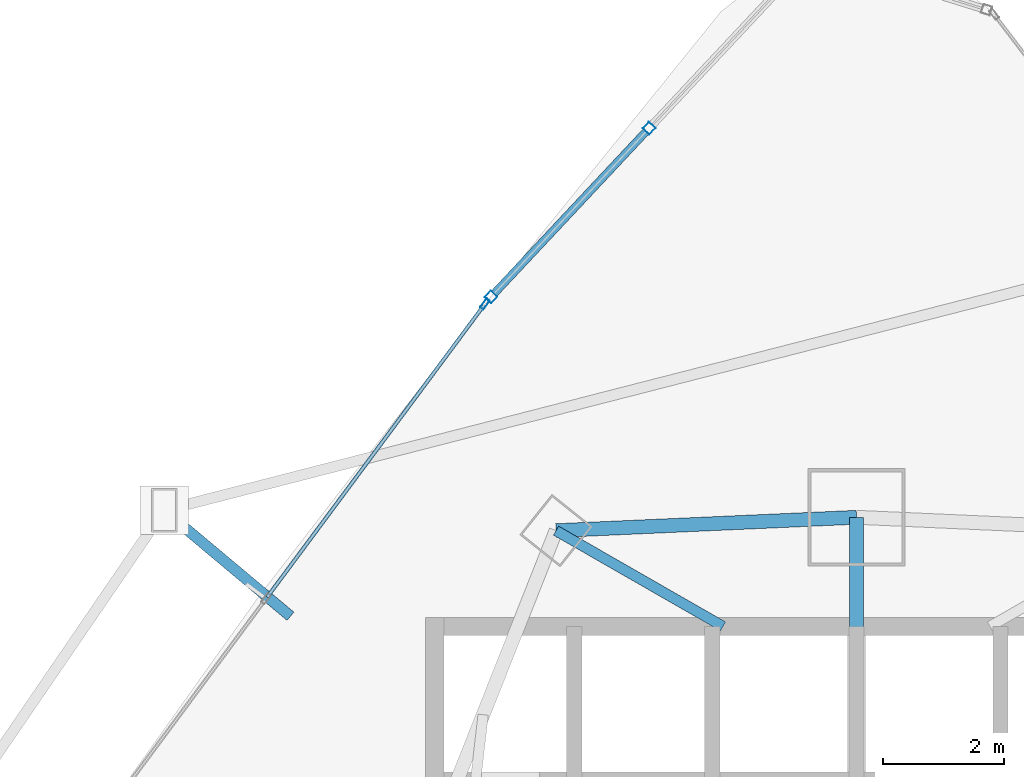
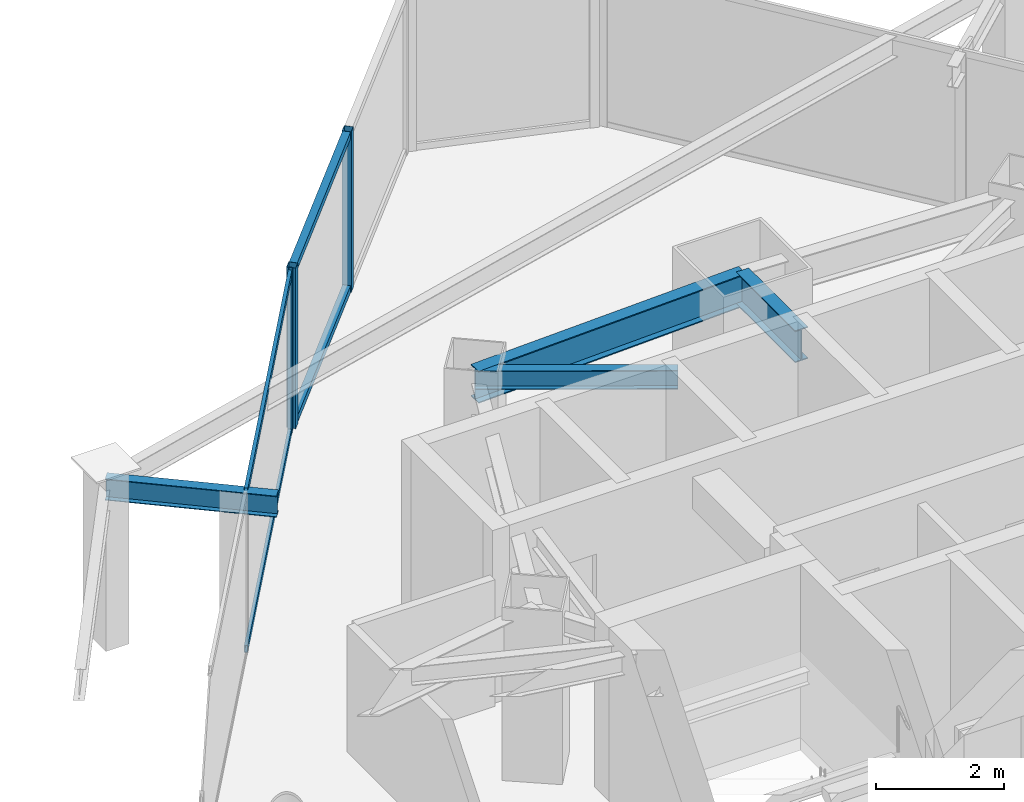
# One storey, part 22 of 33: 7 members, 4 beams, 2 elements without a shape of their own.
"""IFC4 building model written with IfcOpenShell, lengths in metres."""

from ifc_helpers import new_model, si_unit, direction, frame, origin, origin_2d, place, context, subcontext, project, spatial, hollow_rectangle, i_section, extrude, material, layer, layer_set, material_profile, profile_set, type_object, element, aggregate, save


model = new_model("IFC4")

# Units and contexts
model_context = context("Model", 3, precision=1e-05, world=origin(), true_north=direction((0.0, 1.0)))
body_context = subcontext(model_context, "Body", "Model", "MODEL_VIEW")
ifc_project = project(units=[si_unit("LENGTHUNIT", "METRE"), si_unit("AREAUNIT", "SQUARE_METRE"), si_unit("VOLUMEUNIT", "CUBIC_METRE"), si_unit("PLANEANGLEUNIT", "RADIAN"), si_unit("MASSUNIT", "GRAM", prefix="KILO")], contexts=[model_context])

# Site, building, storey
site_placement = place(None, origin())
site = spatial("IfcSite", under=ifc_project, at=site_placement, CompositionType="ELEMENT")
building_placement = place(site_placement, origin())
building = spatial("IfcBuilding", under=site, at=building_placement, Name="Orvanel Arch Residences", CompositionType="ELEMENT")
storey_placement = place(building_placement, frame((0.0, 0.0, 87.35009765625)))
storey = spatial("IfcBuildingStorey", under=building, at=storey_placement, Name="L24", CompositionType="ELEMENT", Elevation=87.35009765625)

# Beams
ifc_material_1 = material(Name="Structural steel AS/NZS 3679.1 Grade 300 (300 MPa)", Category="steel")
ifc_material_profile_1 = material_profile(ifc_material_1, i_section(OverallWidth=0.22900390625, OverallDepth=0.612060546875, WebThickness=0.011962890625, FlangeThickness=0.01953125, at=origin_2d()), Name="610UB125")
ifc_profile_set_1 = profile_set([ifc_material_profile_1], Name="Structural steel AS/NZS 3679.1 Grade 300 (300 MPa)")
beam_type_1 = type_object("IfcBeamType", Name="BG-610UB", PredefinedType="BEAM", material=ifc_profile_set_1)
beam_1_placement = place(storey_placement, frame((33.0, 39.550048828125, 2.75390625), z_axis=(0.0, 1.0, 0.0), x_axis=(-1.0, 0.0, 0.0)))
element("IfcBeam", 1, at=beam_1_placement, inside=storey, type_object=beam_type_1, Name="L24 North Radial Girder", PredefinedType="BEAM", context=body_context, shape_type="SweptSolid", body=[
    extrude(i_section(OverallWidth=0.22900390625, OverallDepth=0.612060546875, WebThickness=0.011962890625, FlangeThickness=0.01953125, at=origin_2d()), origin(), (0.0, 0.0, 1.0), 1.847900390625),
])
ifc_material_profile_2 = material_profile(ifc_material_1, i_section(OverallWidth=0.1708984375, OverallDepth=0.35595703125, WebThickness=0.00732421875, FlangeThickness=0.011474609375, at=origin_2d()), Name="360UB50.7")
ifc_profile_set_2 = profile_set([ifc_material_profile_2], Name="Structural steel AS/NZS 3679.1 Grade 300 (300 MPa)")
beam_type_2 = type_object("IfcBeamType", Name="BJ-360UB", PredefinedType="JOIST", material=ifc_profile_set_2)
beam_2_placement = place(storey_placement, frame((30.800048828125, 39.60009765625, 2.8818359375), z_axis=(-0.86736513383, 0.497672306458, 0.0), x_axis=(-0.497672306458, -0.86736513383, 0.0)))
element("IfcBeam", 2, at=beam_2_placement, inside=storey, type_object=beam_type_2, Name="L24 MNW Wing Floor Joist", PredefinedType="JOIST", context=body_context, shape_type="SweptSolid", body=[
    extrude(i_section(OverallWidth=0.1708984375, OverallDepth=0.35595703125, WebThickness=0.00732421875, FlangeThickness=0.011474609375, at=origin_2d()), origin(), (0.0, 0.0, 1.0), 3.17041015625),
])

# Curtain wall, members
ifc_material_2 = material(Name="Bronze-anodised aluminium AA6063-T6", Category="aluminium")
ifc_layer_1 = layer(ifc_material_2, 0.18994140625)
ifc_layer_set_1 = layer_set([ifc_layer_1], Name="Bronze-anodised aluminium AA6063-T6")
curtain_wall_type_1 = type_object("IfcCurtainWallType", Name="CW5-CRN-SYS", PredefinedType="NOTDEFINED", material=ifc_layer_set_1)
curtain_wall_1_placement = place(storey_placement, origin())
curtain_wall_1 = element("IfcCurtainWall", 3, at=curtain_wall_1_placement, inside=storey, type_object=curtain_wall_type_1, Name="L24 CW5-CRN-SYS Unitised Curtain Wall", PredefinedType="NOTDEFINED")
ifc_material_profile_3 = material_profile(ifc_material_2, hollow_rectangle(XDim=0.14990234375, YDim=0.14990234375, WallThickness=0.0048828125, at=origin_2d()), Name="ALU150x150x5")
ifc_profile_set_3 = profile_set([ifc_material_profile_3], Name="Bronze-anodised aluminium AA6063-T6")
member_type_1 = type_object("IfcMemberType", Name="MUL-150x150", PredefinedType="MULLION", material=ifc_profile_set_3)
member_1_placement = place(storey_placement, frame((29.58349609375, 47.80810546875, 0.0), z_axis=(0.0, 0.0, 1.0), x_axis=(0.729577329682, -0.683898325787, 0.0)))
member_1 = element("IfcMember", 4, at=member_1_placement, type_object=member_type_1, Name="CW-S5 mullion 2", PredefinedType="MULLION", context=body_context, shape_type="SweptSolid", body=[
    extrude(hollow_rectangle(XDim=0.14990234375, YDim=0.14990234375, WallThickness=0.0048828125, at=origin_2d()), origin(), (0.0, 0.0, 1.0), 3.059814453125),
])
member_2_placement = place(storey_placement, frame((26.977294921875, 45.02783203125, 0.0), z_axis=(0.0, 0.0, 1.0), x_axis=(0.729577329682, -0.683898325787, 0.0)))
member_2 = element("IfcMember", 5, at=member_2_placement, type_object=member_type_1, Name="CW-S5 mullion 3", PredefinedType="MULLION", context=body_context, shape_type="SweptSolid", body=[
    extrude(hollow_rectangle(XDim=0.14990234375, YDim=0.14990234375, WallThickness=0.0048828125, at=origin_2d()), origin(), (0.0, 0.0, 1.0), 3.059814453125),
])

# Curtain wall, member
ifc_layer_2 = layer(ifc_material_2, 0.179931640625)
ifc_layer_set_2 = layer_set([ifc_layer_2], Name="Bronze-anodised aluminium AA6063-T6")
curtain_wall_type_2 = type_object("IfcCurtainWallType", Name="CW2-LOW-SYS", PredefinedType="NOTDEFINED", material=ifc_layer_set_2)
curtain_wall_2_placement = place(storey_placement, origin())
curtain_wall_2 = element("IfcCurtainWall", 6, at=curtain_wall_2_placement, inside=storey, type_object=curtain_wall_type_2, Name="L24 CW2-LOW-SYS Unitised Curtain Wall", PredefinedType="NOTDEFINED")
ifc_material_profile_4 = material_profile(ifc_material_2, hollow_rectangle(XDim=0.070068359375, YDim=0.179931640625, WallThickness=0.00439453125, at=origin_2d()), Name="ALU180x70x4.5")
ifc_profile_set_4 = profile_set([ifc_material_profile_4], Name="Bronze-anodised aluminium AA6063-T6")
member_type_2 = type_object("IfcMemberType", Name="MUL-180x70", PredefinedType="MULLION", material=ifc_profile_set_4)
member_3_placement = place(storey_placement, frame((26.879150390625, 44.913818359375, 0.0), z_axis=(0.0, 0.0, 1.0), x_axis=(0.80276182632, -0.59629979893, 0.0)))
member_3 = element("IfcMember", 7, at=member_3_placement, type_object=member_type_2, Name="CW-S2 mullion 1", PredefinedType="MULLION", context=body_context, shape_type="SweptSolid", body=[
    extrude(hollow_rectangle(XDim=0.070068359375, YDim=0.179931640625, WallThickness=0.00439453125, at=origin_2d()), origin(), (0.0, 0.0, 1.0), 3.059814453125),
])

# Beams
ifc_material_profile_5 = material_profile(ifc_material_1, i_section(OverallWidth=0.177978515625, OverallDepth=0.406005859375, WebThickness=0.0078125, FlangeThickness=0.0126953125, at=origin_2d()), Name="410UB59.7")
ifc_profile_set_5 = profile_set([ifc_material_profile_5], Name="Structural steel AS/NZS 3679.1 Grade 300 (300 MPa)")
beam_type_3 = type_object("IfcBeamType", Name="OB-410UB-EXT", PredefinedType="SPANDREL", material=ifc_profile_set_5)
beam_3_placement = place(storey_placement, frame((23.675048828125, 39.76708984375, 2.85693359375), z_axis=(-0.766731967768, 0.641967358674, 0.0), x_axis=(-0.641967358674, -0.766731967768, 0.0)))
element("IfcBeam", 8, at=beam_3_placement, inside=storey, type_object=beam_type_3, Name="L24 Outer Frame Radial Tie Beam 01", PredefinedType="SPANDREL", context=body_context, shape_type="SweptSolid", body=[
    extrude(i_section(OverallWidth=0.177978515625, OverallDepth=0.406005859375, WebThickness=0.0078125, FlangeThickness=0.0126953125, at=origin_2d()), origin(), (0.0, 0.0, 1.0), 2.718017578125),
])
ifc_material_profile_6 = material_profile(ifc_material_1, i_section(OverallWidth=0.22900390625, OverallDepth=0.612060546875, WebThickness=0.011962890625, FlangeThickness=0.01953125, at=origin_2d()), Name="610UB125")
ifc_profile_set_6 = profile_set([ifc_material_profile_6], Name="Structural steel AS/NZS 3679.1 Grade 300 (300 MPa)")
beam_type_4 = type_object("IfcBeamType", Name="SP-610UB", PredefinedType="SPANDREL", material=ifc_profile_set_6)
beam_4_placement = place(storey_placement, frame((33.0, 41.39794921875, 2.75390625), z_axis=(-0.999014049296, -0.044395149614, 0.0), x_axis=(0.044395149614, -0.999014049296, 0.0)))
element("IfcBeam", 9, at=beam_4_placement, inside=storey, type_object=beam_type_4, Name="L24 Perimeter Spandrel Beam 17", PredefinedType="SPANDREL", context=body_context, shape_type="SweptSolid", body=[
    extrude(i_section(OverallWidth=0.22900390625, OverallDepth=0.612060546875, WebThickness=0.011962890625, FlangeThickness=0.01953125, at=origin_2d()), origin(), (0.0, 0.0, 1.0), 4.954833984375),
])

# Member
ifc_material_profile_7 = material_profile(ifc_material_2, hollow_rectangle(XDim=0.1298828125, YDim=0.1298828125, WallThickness=0.00439453125, at=origin_2d()), Name="ALU130x130x4.5")
ifc_profile_set_7 = profile_set([ifc_material_profile_7], Name="Bronze-anodised aluminium AA6063-T6")
member_type_3 = type_object("IfcMemberType", Name="TRN-130x130", PredefinedType="USERDEFINED", material=ifc_profile_set_7)
member_4_placement = place(storey_placement, frame((29.5322265625, 47.753173828125, 0.06494140625), z_axis=(-0.68393003652, -0.729547603071, 0.0), x_axis=(0.729547603071, -0.68393003652, 0.0)))
member_4 = element("IfcMember", 10, at=member_4_placement, type_object=member_type_3, Name="CW-S5 transom 2.1", ObjectType="TRANSOM", PredefinedType="USERDEFINED", context=body_context, shape_type="SweptSolid", body=[
    extrude(hollow_rectangle(XDim=0.1298828125, YDim=0.1298828125, WallThickness=0.00439453125, at=origin_2d()), origin(), (0.0, 0.0, 1.0), 3.66064453125),
])

member_5_placement = place(storey_placement, frame((29.5322265625, 47.753173828125, 2.994873046875), z_axis=(-0.68393003652, -0.729547603071, 0.0), x_axis=(0.729547603071, -0.68393003652, 0.0)))
member_5 = element("IfcMember", 11, at=member_5_placement, type_object=member_type_3, Name="CW-S5 transom 2.2", ObjectType="TRANSOM", PredefinedType="USERDEFINED", context=body_context, shape_type="SweptSolid", body=[
    extrude(hollow_rectangle(XDim=0.1298828125, YDim=0.1298828125, WallThickness=0.00439453125, at=origin_2d()), origin(), (0.0, 0.0, 1.0), 3.66064453125),
])

aggregate(curtain_wall_1, [member_1, member_2, member_4, member_5])

ifc_material_profile_8 = material_profile(ifc_material_2, hollow_rectangle(XDim=0.06005859375, YDim=0.135009765625, WallThickness=0.00390625, at=origin_2d()), Name="ALU135x60x4")
ifc_profile_set_8 = profile_set([ifc_material_profile_8], Name="Bronze-anodised aluminium AA6063-T6")
member_type_4 = type_object("IfcMemberType", Name="TRN-135x60", PredefinedType="USERDEFINED", material=ifc_profile_set_8)
member_6_placement = place(storey_placement, frame((26.858154296875, 44.8857421875, 0.02978515625), z_axis=(-0.596290179137, -0.802768971912, 0.0), x_axis=(0.802768971912, -0.596290179137, 0.0)))
member_6 = element("IfcMember", 12, at=member_6_placement, type_object=member_type_4, Name="CW-S2 transom 1.1", ObjectType="TRANSOM", PredefinedType="USERDEFINED", context=body_context, shape_type="SweptSolid", body=[
    extrude(hollow_rectangle(XDim=0.06005859375, YDim=0.135009765625, WallThickness=0.00390625, at=origin_2d()), origin(), (0.0, 0.0, 1.0), 5.98046875),
])

member_7_placement = place(storey_placement, frame((26.858154296875, 44.8857421875, 3.02978515625), z_axis=(-0.596290179137, -0.802768971912, 0.0), x_axis=(0.802768971912, -0.596290179137, 0.0)))
member_7 = element("IfcMember", 13, at=member_7_placement, type_object=member_type_4, Name="CW-S2 transom 1.2", ObjectType="TRANSOM", PredefinedType="USERDEFINED", context=body_context, shape_type="SweptSolid", body=[
    extrude(hollow_rectangle(XDim=0.06005859375, YDim=0.135009765625, WallThickness=0.00390625, at=origin_2d()), origin(), (0.0, 0.0, 1.0), 5.98046875),
])

aggregate(curtain_wall_2, [member_3, member_6, member_7])

save(model, "model.ifc")
